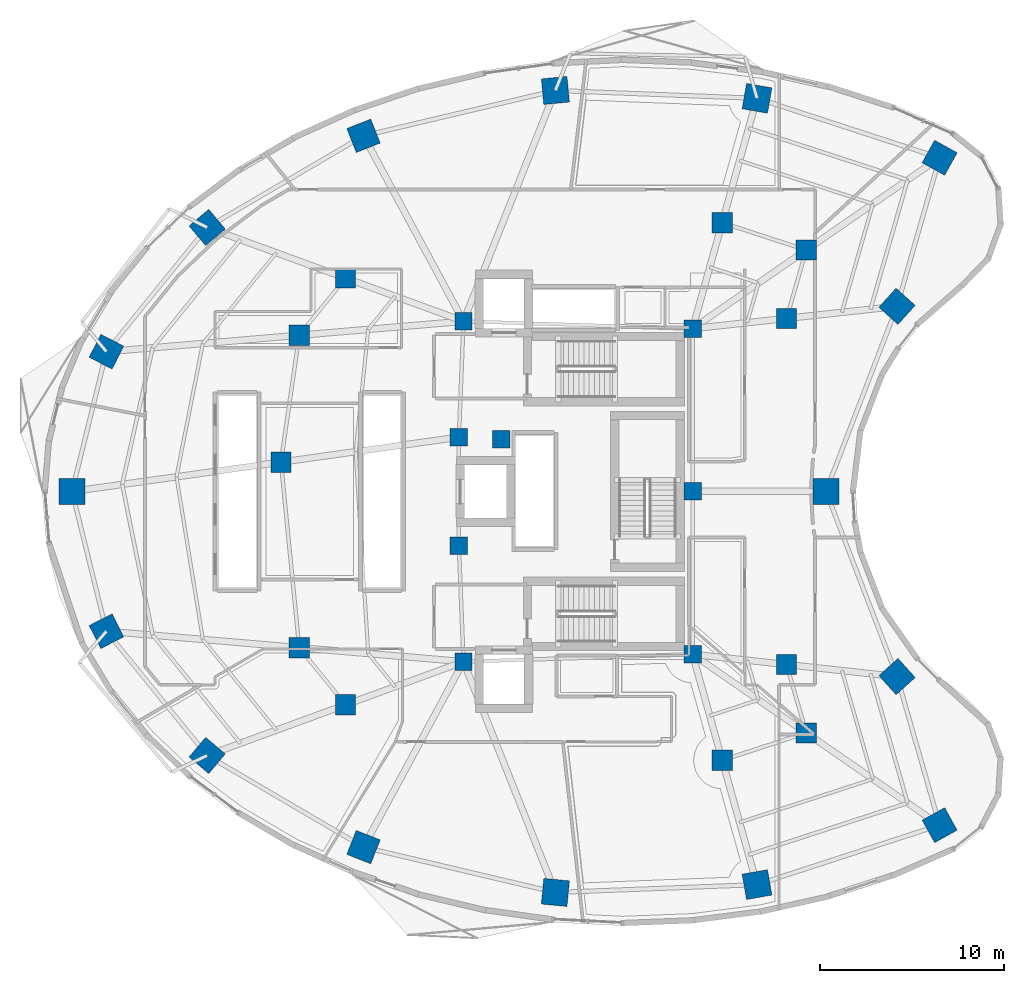
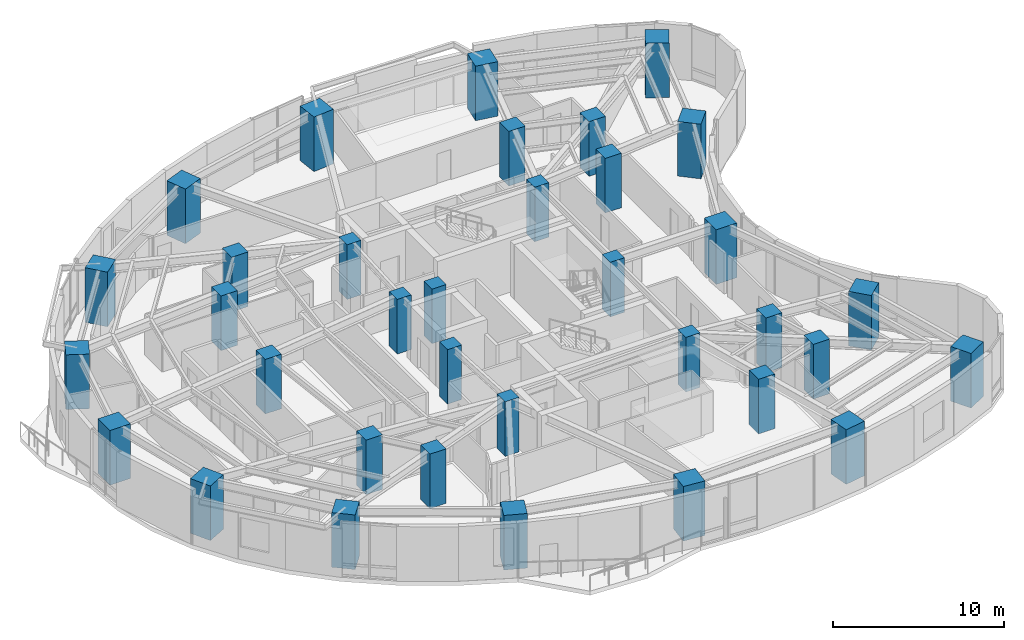
# One storey, part 1 of 15: 35 columns.
"""IFC4 building model written with IfcOpenShell, lengths in metres."""

from ifc_helpers import new_model, si_unit, direction, frame, origin, origin_2d, place, context, subcontext, project, spatial, rectangle, extrude, material, material_profile, profile_set, type_object, element, save


model = new_model("IFC4")

# Units and contexts
model_context = context("Model", 3, precision=1e-05, world=origin(), true_north=direction((0.0, 1.0)))
body_context = subcontext(model_context, "Body", "Model", "MODEL_VIEW")
ifc_project = project(units=[si_unit("LENGTHUNIT", "METRE"), si_unit("AREAUNIT", "SQUARE_METRE"), si_unit("VOLUMEUNIT", "CUBIC_METRE"), si_unit("PLANEANGLEUNIT", "RADIAN"), si_unit("MASSUNIT", "GRAM", prefix="KILO")], contexts=[model_context])

# Site, building, storey
site_placement = place(None, origin())
site = spatial("IfcSite", under=ifc_project, at=site_placement, CompositionType="ELEMENT")
building_placement = place(site_placement, origin())
building = spatial("IfcBuilding", under=site, at=building_placement, Name="Korentha Bioscience Tower", CompositionType="ELEMENT")
storey_placement = place(building_placement, frame((0.0, 0.0, 76.199951171875)))
storey = spatial("IfcBuildingStorey", under=building, at=storey_placement, Name="L17", CompositionType="ELEMENT", Elevation=76.199951171875)

# Columns
ifc_material_1 = material(Name="Concrete C65", Category="concrete")
ifc_material_profile_1 = material_profile(ifc_material_1, rectangle(XDim=0.949951171875, YDim=0.949951171875, at=origin_2d()), Name="Concrete C65")
ifc_profile_set_1 = profile_set([ifc_material_profile_1], Name="Concrete C65 (COL-CP09)")
column_type_1 = type_object("IfcColumnType", Name="Core Pilaster Column RC 950x950", PredefinedType="PILASTER", material=ifc_profile_set_1)
for number, where, z_axis, x_axis, name in (
    (1, (37.550048828125, 35.85009765625, -0.00048828125), (0.0, 0.0, 1.0), (1.0, 0.0, 0.0), "L17 Core Pilaster CP-01"),
    (2, (25.10009765625, 36.25, -0.00048828125), (0.0, 0.0, 1.0), (1.0, 0.0, 0.0), "L17 Core Pilaster CP-02"),
    (3, (24.85009765625, 29.949951171875, -0.00048828125), (0.0, 0.0, 1.0), (1.0, 0.0, 0.0), "L17 Core Pilaster CP-03"),
    (4, (27.14990234375, 29.85009765625, -0.00048828125), (0.0, 0.0, 1.0), (1.0, 0.0, 0.0), "L17 Core Pilaster CP-04"),
    (5, (24.85009765625, 24.050048828125, -0.00048828125), (0.0, 0.0, 1.0), (1.0, 0.0, 0.0), "L17 Core Pilaster CP-05"),
    (6, (25.10009765625, 17.75, -0.00048828125), (0.0, 0.0, 1.0), (1.0, 0.0, 0.0), "L17 Core Pilaster CP-06"),
    (7, (37.550048828125, 18.14990234375, -0.00048828125), (0.0, 0.0, 1.0), (1.0, 0.0, 0.0), "L17 Core Pilaster CP-07"),
    (8, (37.550048828125, 27.0, -0.00048828125), (0.0, 0.0, 1.0), (1.0, 0.0, 0.0), "L17 Core Pilaster CP-08"),
):
    element("IfcColumn", number, at=place(storey_placement, frame(where, z_axis=z_axis, x_axis=x_axis)), inside=storey, type_object=column_type_1, Name=name, PredefinedType="PILASTER", context=body_context, shape_type="SweptSolid", body=[
        extrude(rectangle(XDim=0.949951171875, YDim=0.949951171875, at=origin_2d()), origin(), (0.0, 0.0, 1.0), 3.901123046875),
    ])
ifc_material_2 = material(Name="Concrete C80", Category="concrete")
ifc_material_profile_2 = material_profile(ifc_material_2, rectangle(XDim=1.10009765625, YDim=1.10009765625, at=origin_2d()), Name="Concrete C80")
ifc_profile_set_2 = profile_set([ifc_material_profile_2], Name="Concrete C80 (COL-MR11)")
column_type_2 = type_object("IfcColumnType", Name="Mid-Ring Lab Column RC 1100x1100", PredefinedType="COLUMN", material=ifc_profile_set_2)
for number, where, z_axis, x_axis, name in (
    (9, (43.7265625, 40.121337890625, -0.00048828125), (0.0, 0.0, 1.0), (1.0, 0.0, 0.0), "L17 Mid-Ring Column 01"),
    (10, (39.1611328125, 41.607666015625, -0.00048828125), (0.0, 0.0, 1.0), (1.0, 0.0, 0.0), "L17 Mid-Ring Column 02"),
    (11, (18.692138671875, 38.5947265625, -0.00048828125), (0.0, 0.0, 1.0), (1.0, 0.0, 0.0), "L17 Mid-Ring Column 05"),
    (12, (16.174072265625, 35.489013671875, -0.00048828125), (0.0, 0.0, 1.0), (1.0, 0.0, 0.0), "L17 Mid-Ring Column 06"),
    (13, (15.1787109375, 28.593505859375, -0.00048828125), (0.0, 0.0, 1.0), (1.0, 0.0, 0.0), "L17 Mid-Ring Column 07"),
    (14, (16.174072265625, 18.510986328125, -0.00048828125), (0.0, 0.0, 1.0), (1.0, 0.0, 0.0), "L17 Mid-Ring Column 08"),
    (15, (18.692138671875, 15.4052734375, -0.00048828125), (0.0, 0.0, 1.0), (1.0, 0.0, 0.0), "L17 Mid-Ring Column 09"),
    (16, (39.1611328125, 12.392333984375, -0.00048828125), (0.0, 0.0, 1.0), (1.0, 0.0, 0.0), "L17 Mid-Ring Column 12"),
    (17, (43.7265625, 13.878662109375, -0.00048828125), (0.0, 0.0, 1.0), (1.0, 0.0, 0.0), "L17 Mid-Ring Column 13"),
    (18, (42.66162109375, 17.593017578125, -0.00048828125), (0.0, 0.0, 1.0), (1.0, 0.0, 0.0), "L17 Mid-Ring Column 14"),
    (19, (42.66162109375, 36.406982421875, -0.00048828125), (0.0, 0.0, 1.0), (1.0, 0.0, 0.0), "L17 Mid-Ring Column 16"),
):
    element("IfcColumn", number, at=place(storey_placement, frame(where, z_axis=z_axis, x_axis=x_axis)), inside=storey, type_object=column_type_2, Name=name, PredefinedType="COLUMN", context=body_context, shape_type="SweptSolid", body=[
        extrude(rectangle(XDim=1.10009765625, YDim=1.10009765625, at=origin_2d()), origin(), (0.0, 0.0, 1.0), 3.901123046875),
    ])
ifc_material_profile_3 = material_profile(ifc_material_2, rectangle(XDim=1.39990234375, YDim=1.39990234375, at=origin_2d()), Name="Concrete C80")
ifc_profile_set_3 = profile_set([ifc_material_profile_3], Name="Concrete C80 (COL-P14)")
column_type_3 = type_object("IfcColumnType", Name="Perimeter Column RC 1400x1400", PredefinedType="COLUMN", material=ifc_profile_set_3)
for number, where, z_axis, x_axis, name in (
    (20, (50.977294921875, 45.135498046875, -0.00048828125), (0.0, 0.0, 1.0), (-0.874535078577, 0.484962262797, 0.0), "L17 Perimeter Column 01"),
    (21, (41.052490234375, 48.36669921875, -0.00048828125), (0.0, 0.0, 1.0), (-0.984868307662, 0.173304404339, 0.0), "L17 Perimeter Column 02"),
    (22, (30.09423828125, 48.79248046875, -0.00048828125), (0.0, 0.0, 1.0), (0.995462868748, 0.095150811579, 0.0), "L17 Perimeter Column 03"),
    (23, (19.66650390625, 46.328857421875, -0.00048828125), (0.0, 0.0, 1.0), (0.930225540858, 0.366988341962, 0.0), "L17 Perimeter Column 04"),
    (24, (11.169921875, 41.34716796875, -0.00048828125), (0.0, 0.0, 1.0), (0.764246456939, 0.644924300253, 0.0), "L17 Perimeter Column 05"),
    (25, (5.69580078125, 34.595703125, -0.00048828125), (0.0, 0.0, 1.0), (0.453057191132, 0.891481453292, 0.0), "L17 Perimeter Column 06"),
    (26, (3.825439453125, 27.000732421875, -0.00048828125), (0.0, 0.0, 1.0), (0.0, 1.0, 0.0), "L17 Perimeter Column 07"),
    (27, (5.69580078125, 19.404296875, -0.00048828125), (0.0, 0.0, 1.0), (-0.453057191132, 0.891481453292, 0.0), "L17 Perimeter Column 08"),
    (28, (11.169921875, 12.65283203125, -0.00048828125), (0.0, 0.0, 1.0), (-0.764246456939, 0.644924300253, 0.0), "L17 Perimeter Column 09"),
    (29, (19.66650390625, 7.671142578125, -0.00048828125), (0.0, 0.0, 1.0), (-0.930225540858, 0.366988341962, 0.0), "L17 Perimeter Column 10"),
    (30, (30.09423828125, 5.20751953125, -0.00048828125), (0.0, 0.0, 1.0), (-0.995462868748, 0.095150811579, 0.0), "L17 Perimeter Column 11"),
    (31, (41.052490234375, 5.63330078125, -0.00048828125), (0.0, 0.0, 1.0), (0.984868307662, 0.173304404339, 0.0), "L17 Perimeter Column 12"),
    (32, (50.977294921875, 8.864501953125, -0.00048828125), (0.0, 0.0, 1.0), (0.874535078577, 0.484962262797, 0.0), "L17 Perimeter Column 13"),
    (33, (48.661865234375, 16.939208984375, -0.00048828125), (0.0, 0.0, 1.0), (-0.669130606359, 0.743144825477, 0.0), "L17 Perimeter Column 14"),
    (34, (44.798583984375, 27.0, -0.00048828125), (0.0, 0.0, 1.0), (0.0, 1.0, 0.0), "L17 Perimeter Column 15"),
    (35, (48.661865234375, 37.060791015625, -0.00048828125), (0.0, 0.0, 1.0), (0.669130606359, 0.743144825477, 0.0), "L17 Perimeter Column 16"),
):
    element("IfcColumn", number, at=place(storey_placement, frame(where, z_axis=z_axis, x_axis=x_axis)), inside=storey, type_object=column_type_3, Name=name, PredefinedType="COLUMN", context=body_context, shape_type="SweptSolid", body=[
        extrude(rectangle(XDim=1.39990234375, YDim=1.39990234375, at=origin_2d()), origin(), (0.0, 0.0, 1.0), 3.901123046875),
    ])

save(model, "model.ifc")
